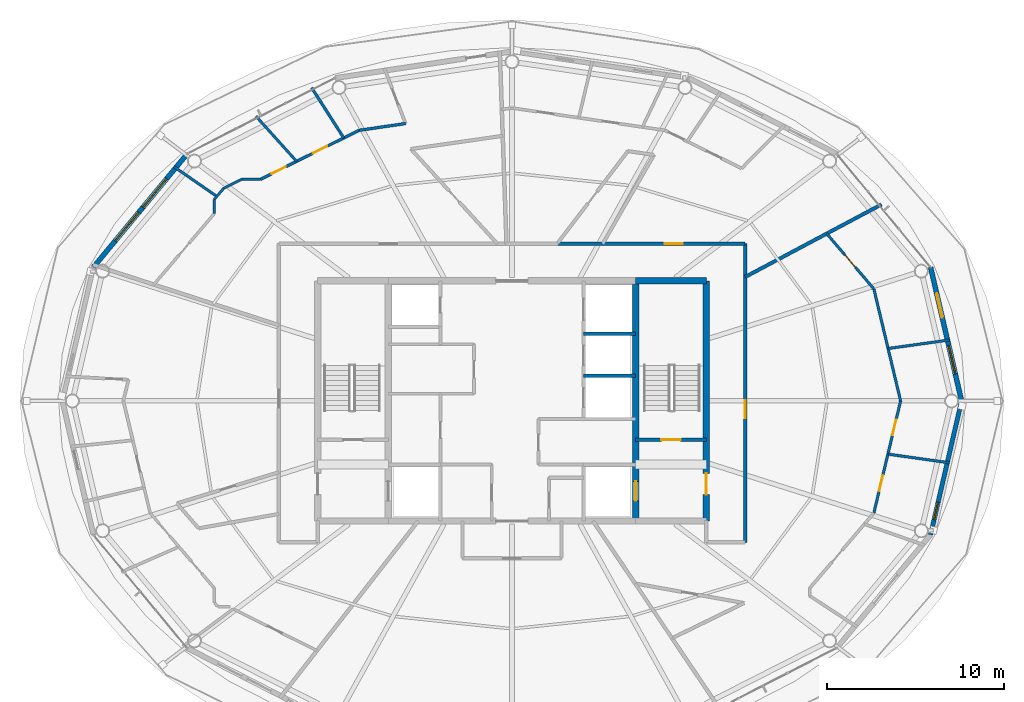
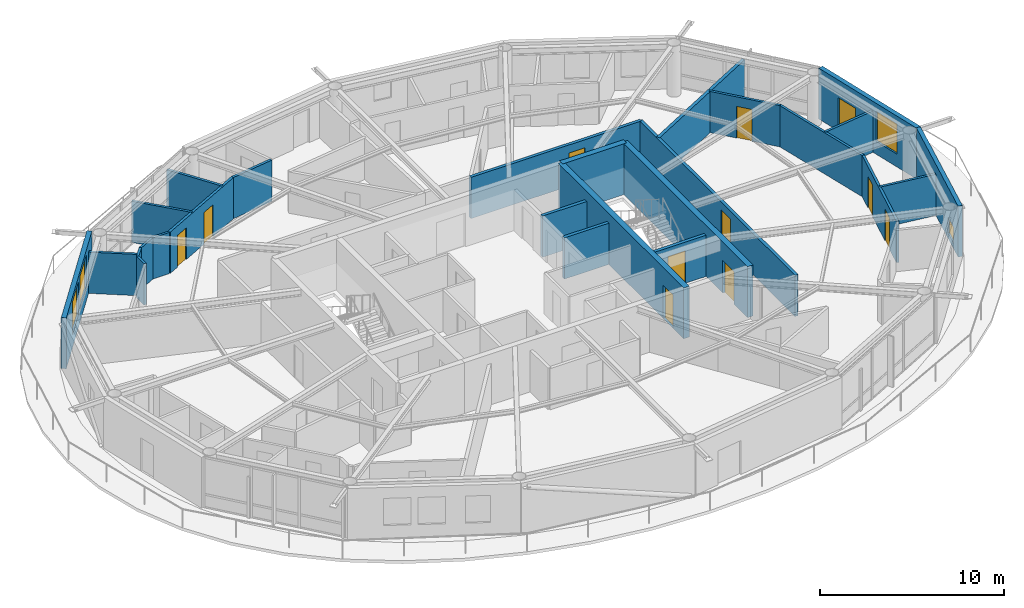
# One storey, part 18 of 22: 26 walls, 11 doors, 4 windows, 15 openings.
"""IFC4 building model written with IfcOpenShell, lengths in metres."""

from ifc_helpers import new_model, si_unit, direction, frame, frame_2d, origin, place, context, subcontext, project, spatial, rectangle, extrude, material, layer, layer_set, type_object, element, fill, save


model = new_model("IFC4")

# Units and contexts
model_context = context("Model", 3, precision=1e-05, world=origin(), true_north=direction((0.0, 1.0)))
body_context = subcontext(model_context, "Body", "Model", "MODEL_VIEW")
ifc_project = project(units=[si_unit("LENGTHUNIT", "METRE"), si_unit("AREAUNIT", "SQUARE_METRE"), si_unit("VOLUMEUNIT", "CUBIC_METRE"), si_unit("PLANEANGLEUNIT", "RADIAN"), si_unit("MASSUNIT", "GRAM", prefix="KILO")], contexts=[model_context])

# Site, building, storey
site_placement = place(None, origin())
site = spatial("IfcSite", under=ifc_project, at=site_placement, CompositionType="ELEMENT")
building_placement = place(site_placement, origin())
building = spatial("IfcBuilding", under=site, at=building_placement, Name="Sarneth Arch Tower", CompositionType="ELEMENT")
storey_placement = place(building_placement, frame((0.0, 0.0, 283.800048828125)))
storey = spatial("IfcBuildingStorey", under=building, at=storey_placement, Name="L73", CompositionType="ELEMENT", Elevation=283.800048828125)

# Wall
ifc_material_1 = material(Name="Concrete C50/60", Category="concrete")
ifc_layer_1 = layer(ifc_material_1, 0.35009765625)
ifc_layer_set_1 = layer_set([ifc_layer_1], Name="Concrete C50/60")
wall_type_1 = type_object("IfcWallType", Name="WALL-CORE-350", PredefinedType="SHEAR", material=ifc_layer_set_1)
wall_1_placement = place(storey_placement, frame((55.0, 48.800048828125, 0.0), z_axis=(0.0, 0.0, 1.0), x_axis=(1.0, 0.0, 0.0)))
element("IfcWall", 1, at=wall_1_placement, inside=storey, type_object=wall_type_1, Name="L73 Core shear wall N-E", PredefinedType="SHEAR", context=body_context, shape_type="SweptSolid", body=[
    extrude(rectangle(XDim=4.0, YDim=0.35009765625, at=frame_2d((2.0, 0.0))), origin(), (0.0, 0.0, 1.0), 3.369873046875),
])

# Wall, opening, door
wall_2_placement = place(storey_placement, frame((59.0, 35.199951171875, 0.0), z_axis=(0.0, 0.0, 1.0), x_axis=(0.0, 1.0, 0.0)))
wall_2 = element("IfcWall", 2, at=wall_2_placement, inside=storey, type_object=wall_type_1, Name="L73 Core shear wall E", PredefinedType="SHEAR", context=body_context, shape_type="SweptSolid", body=[
    extrude(rectangle(XDim=13.60009765625, YDim=0.35009765625, at=frame_2d((6.800048828125, 0.0))), origin(), (0.0, 0.0, 1.0), 3.369873046875),
])
opening_1_placement = place(wall_2_placement, frame((1.5, 0.0, 0.0)))
opening_1 = element("IfcOpeningElement", 3, at=opening_1_placement, cuts=wall_2, Name="Opening FD-02", PredefinedType="OPENING", context=body_context, shape_type="SweptSolid", body=[
    extrude(rectangle(XDim=1.199951171875, YDim=2.14990234375, at=frame_2d((0.60009765625, 1.074951171875))), frame((0.0, 0.18505859375, 0.0), z_axis=(0.0, -1.0, 0.0), x_axis=(1.0, 0.0, 0.0)), (0.0, 0.0, 1.0), 0.3701171875),
])
ifc_material_2 = material(Name="Galvanised Steel S275 fire door set", Category="steel")
door_type_1 = type_object("IfcDoorType", Name="DR-FD90-1200", OperationType="SINGLE_SWING_LEFT", PredefinedType="DOOR", material=ifc_material_2)
door_1_placement = place(opening_1_placement, origin())
door_1 = element("IfcDoor", 4, at=door_1_placement, inside=storey, type_object=door_type_1, Name="L73 Firefighting lobby 2 exit door", OperationType="SINGLE_SWING_RIGHT", OverallHeight=2.14990234375, OverallWidth=1.199951171875, PredefinedType="DOOR", context=body_context, shape_type="SweptSolid", body=[
    extrude(rectangle(XDim=1.199951171875, YDim=2.14990234375, at=frame_2d((0.60009765625, 1.074951171875))), frame((0.0, 0.02490234375, 0.0), z_axis=(0.0, -1.0, 0.0), x_axis=(1.0, 0.0, 0.0)), (0.0, 0.0, 1.0), 0.050048828125),
])
fill(opening_1, door_1)

wall_3_placement = place(storey_placement, frame((55.0, 35.199951171875, 0.0), z_axis=(0.0, 0.0, 1.0), x_axis=(0.0, 1.0, 0.0)))
wall_3 = element("IfcWall", 5, at=wall_3_placement, inside=storey, type_object=wall_type_1, Name="L73 Core shear wall WEB-E", PredefinedType="SHEAR", context=body_context, shape_type="SweptSolid", body=[
    extrude(rectangle(XDim=13.60009765625, YDim=0.35009765625, at=frame_2d((6.800048828125, 0.0))), origin(), (0.0, 0.0, 1.0), 3.369873046875),
])
opening_2_placement = place(wall_3_placement, frame((1.14990234375, 0.0, 0.0)))
opening_2 = element("IfcOpeningElement", 6, at=opening_2_placement, cuts=wall_3, Name="Opening LD-1", PredefinedType="OPENING", context=body_context, shape_type="SweptSolid", body=[
    extrude(rectangle(XDim=1.10009765625, YDim=2.199951171875, at=frame_2d((0.550048828125, 1.10009765625))), frame((0.0, 0.18505859375, 0.0), z_axis=(0.0, -1.0, 0.0), x_axis=(1.0, 0.0, 0.0)), (0.0, 0.0, 1.0), 0.3701171875),
])
ifc_material_3 = material(Name="Brushed Stainless Steel 304 lift landing door", Category="steel")
door_type_2 = type_object("IfcDoorType", Name="DR-LIFT-SLIDE-1100", OperationType="SLIDING_TO_LEFT", PredefinedType="DOOR", material=ifc_material_3)
door_2_placement = place(opening_2_placement, origin())
door_2 = element("IfcDoor", 7, at=door_2_placement, inside=storey, type_object=door_type_2, Name="L73 Firefighting lift landing door FL-2", OperationType="SLIDING_TO_RIGHT", OverallHeight=2.199951171875, OverallWidth=1.10009765625, PredefinedType="DOOR", context=body_context, shape_type="SweptSolid", body=[
    extrude(rectangle(XDim=1.10009765625, YDim=2.199951171875, at=frame_2d((0.550048828125, 1.10009765625))), frame((0.0, 0.02490234375, 0.0), z_axis=(0.0, -1.0, 0.0), x_axis=(1.0, 0.0, 0.0)), (0.0, 0.0, 1.0), 0.050048828125),
])
fill(opening_2, door_2)

ifc_material_4 = material(Name="Double steel-stud corridor fire wall", Category="steel")
ifc_layer_2 = layer(ifc_material_4, 0.18994140625)
ifc_layer_set_2 = layer_set([ifc_layer_2], Name="Double steel-stud corridor fire wall")
wall_type_2 = type_object("IfcWallType", Name="WALL-CORR-190", PredefinedType="PARTITIONING", material=ifc_layer_set_2)
wall_4_placement = place(storey_placement, frame((61.199951171875, 50.89990234375, 0.0), z_axis=(0.0, 0.0, 1.0), x_axis=(0.0, -1.0, 0.0)))
wall_4 = element("IfcWall", 8, at=wall_4_placement, inside=storey, type_object=wall_type_2, Name="L73 Interior partition W-L73-TP-013", PredefinedType="PARTITIONING", context=body_context, shape_type="SweptSolid", body=[
    extrude(rectangle(XDim=16.89990234375, YDim=0.18994140625, at=frame_2d((8.449951171875, 0.0))), origin(), (0.0, 0.0, 1.0), 2.72998046875),
])
opening_3_placement = place(wall_4_placement, frame((8.87255859375, 0.0, 0.0)))
opening_3 = element("IfcOpeningElement", 9, at=opening_3_placement, cuts=wall_4, Name="Opening FD-08", PredefinedType="OPENING", context=body_context, shape_type="SweptSolid", body=[
    extrude(rectangle(XDim=1.0, YDim=2.199951171875, at=frame_2d((0.5, 1.10009765625))), frame((0.0, 0.10498046875, 0.0), z_axis=(0.0, -1.0, 0.0), x_axis=(1.0, 0.0, 0.0)), (0.0, 0.0, 1.0), 0.2099609375),
])
ifc_material_5 = material(Name="Hardwood timber acoustic fire door", Category="wood")
door_type_3 = type_object("IfcDoorType", Name="DR-FD60-1000", OperationType="SINGLE_SWING_LEFT", PredefinedType="DOOR", material=ifc_material_5)
door_3_placement = place(opening_3_placement, origin())
door_3 = element("IfcDoor", 10, at=door_3_placement, inside=storey, type_object=door_type_3, Name="L73 Interior door DR-L73-U5-ENT", OperationType="SINGLE_SWING_LEFT", OverallHeight=2.199951171875, OverallWidth=1.0, PredefinedType="DOOR", context=body_context, shape_type="SweptSolid", body=[
    extrude(rectangle(XDim=1.0, YDim=2.199951171875, at=frame_2d((0.5, 1.10009765625))), frame((0.0, 0.02490234375, 0.0), z_axis=(0.0, -1.0, 0.0), x_axis=(1.0, 0.0, 0.0)), (0.0, 0.0, 1.0), 0.050048828125),
])
fill(opening_3, door_3)

wall_5_placement = place(storey_placement, frame((50.515380859375, 50.89990234375, 0.0), z_axis=(0.0, 0.0, 1.0), x_axis=(1.0, 0.0, 0.0)))
wall_5 = element("IfcWall", 11, at=wall_5_placement, inside=storey, type_object=wall_type_2, Name="L73 Interior partition W-L73-TP-002", PredefinedType="PARTITIONING", context=body_context, shape_type="SweptSolid", body=[
    extrude(rectangle(XDim=10.6845703125, YDim=0.18994140625, at=frame_2d((5.34228515625, 0.0))), origin(), (0.0, 0.0, 1.0), 2.72998046875),
])
opening_4_placement = place(wall_5_placement, frame((6.135498046875, 0.0, 0.0)))
opening_4 = element("IfcOpeningElement", 12, at=opening_4_placement, cuts=wall_5, Name="Opening FD-08", PredefinedType="OPENING", context=body_context, shape_type="SweptSolid", body=[
    extrude(rectangle(XDim=1.0, YDim=2.199951171875, at=frame_2d((0.5, 1.10009765625))), frame((0.0, 0.10498046875, 0.0), z_axis=(0.0, -1.0, 0.0), x_axis=(1.0, 0.0, 0.0)), (0.0, 0.0, 1.0), 0.2099609375),
])
door_4_placement = place(opening_4_placement, origin())
door_4 = element("IfcDoor", 13, at=door_4_placement, inside=storey, type_object=door_type_3, Name="L73 Interior door DR-L73-U1-ENT", OperationType="SINGLE_SWING_LEFT", OverallHeight=2.199951171875, OverallWidth=1.0, PredefinedType="DOOR", context=body_context, shape_type="SweptSolid", body=[
    extrude(rectangle(XDim=1.0, YDim=2.199951171875, at=frame_2d((0.5, 1.10009765625))), frame((0.0, 0.02490234375, 0.0), z_axis=(0.0, -1.0, 0.0), x_axis=(1.0, 0.0, 0.0)), (0.0, 0.0, 1.0), 0.050048828125),
])
fill(opening_4, door_4)

# Wall, opening, window
ifc_material_6 = material(Name="Extruded terracotta rainscreen on Concrete C40/50 backing", Category="masonry")
ifc_layer_3 = layer(ifc_material_6, 0.25)
ifc_layer_set_3 = layer_set([ifc_layer_3], Name="Extruded terracotta rainscreen on Concrete C40/50 backing")
wall_type_3 = type_object("IfcWallType", Name="WALL-EXT-SPAND-250", PredefinedType="SOLIDWALL", material=ifc_layer_set_3)
wall_6_placement = place(storey_placement, frame((71.69384765625, 34.430419921875, 0.0), z_axis=(0.0, 0.0, 1.0), x_axis=(0.225635078214, 0.974211892495, 0.0)))
wall_6 = element("IfcWall", 14, at=wall_6_placement, inside=storey, type_object=wall_type_3, Name="L73 Terracotta perimeter wall 16", PredefinedType="SOLIDWALL", context=body_context, shape_type="SweptSolid", body=[
    extrude(rectangle(XDim=7.77001953125, YDim=0.25, at=frame_2d((3.885009765625, 0.0))), origin(), (0.0, 0.0, 1.0), 3.369873046875),
])
opening_5_placement = place(wall_6_placement, frame((0.877685546875, 0.0, 0.35009765625)))
opening_5 = element("IfcOpeningElement", 15, at=opening_5_placement, cuts=wall_6, Name="Opening W-14", PredefinedType="OPENING", context=body_context, shape_type="SweptSolid", body=[
    extrude(rectangle(XDim=1.0, YDim=1.050048828125, at=frame_2d((0.5, 0.52490234375))), frame((0.0, 0.135009765625, 0.0), z_axis=(0.0, -1.0, 0.0), x_axis=(1.0, 0.0, 0.0)), (0.0, 0.0, 1.0), 0.27001953125),
])
ifc_material_7 = material(Name="Thermally broken Aluminium 6063-T6 and low-e laminated IGU", Category="aluminium")
window_type_1 = type_object("IfcWindowType", Name="WIN-TWR-1000x1050", PartitioningType="SINGLE_PANEL", PredefinedType="WINDOW", material=ifc_material_7)
window_1_placement = place(opening_5_placement, origin())
window_1 = element("IfcWindow", 16, at=window_1_placement, inside=storey, type_object=window_type_1, Name="L73 Dwelling bedroom window 04", OverallHeight=1.050048828125, OverallWidth=1.0, PartitioningType="SINGLE_PANEL", PredefinedType="WINDOW", context=body_context, shape_type="SweptSolid", body=[
    extrude(rectangle(XDim=1.0, YDim=1.050048828125, at=frame_2d((0.5, 0.52490234375))), frame((0.0, 0.030029296875, 0.0), z_axis=(0.0, -1.0, 0.0), x_axis=(1.0, 0.0, 0.0)), (0.0, 0.0, 1.0), 0.06005859375),
])
fill(opening_5, window_1)

# Wall, openings, door, window
ifc_material_8 = material(Name="Extruded terracotta rainscreen on Concrete C40/50 backing", Category="masonry")
ifc_layer_4 = layer(ifc_material_8, 0.280029296875)
ifc_layer_set_4 = layer_set([ifc_layer_4], Name="Extruded terracotta rainscreen on Concrete C40/50 backing")
wall_type_4 = type_object("IfcWallType", Name="WALL-EXT-TERRA-280", PredefinedType="SOLIDWALL", material=ifc_layer_set_4)
wall_7_placement = place(storey_placement, frame((73.447021484375, 42.0, 0.0), z_axis=(0.0, 0.0, 1.0), x_axis=(-0.225635078214, 0.974211892495, 0.0)))
wall_7 = element("IfcWall", 17, at=wall_7_placement, inside=storey, type_object=wall_type_4, Name="L73 Terracotta perimeter wall 01", PredefinedType="SOLIDWALL", context=body_context, shape_type="SweptSolid", body=[
    extrude(rectangle(XDim=7.77001953125, YDim=0.280029296875, at=frame_2d((3.885009765625, 0.0))), origin(), (0.0, 0.0, 1.0), 3.369873046875),
])
opening_6_placement = place(wall_7_placement, frame((1.57177734375, 0.0, 0.85009765625)))
opening_6 = element("IfcOpeningElement", 18, at=opening_6_placement, cuts=wall_7, Name="Opening W-05", PredefinedType="OPENING", context=body_context, shape_type="SweptSolid", body=[
    extrude(rectangle(XDim=1.64990234375, YDim=2.0, at=frame_2d((0.824951171875, 1.0))), frame((0.0, 0.14990234375, 0.0), z_axis=(0.0, -1.0, 0.0), x_axis=(1.0, 0.0, 0.0)), (0.0, 0.0, 1.0), 0.300048828125),
])
opening_7_placement = place(wall_7_placement, frame((4.842041015625, 0.0, 0.0)))
opening_7 = element("IfcOpeningElement", 19, at=opening_7_placement, cuts=wall_7, Name="Opening BD-2", PredefinedType="OPENING", context=body_context, shape_type="SweptSolid", body=[
    extrude(rectangle(XDim=1.39990234375, YDim=2.199951171875, at=frame_2d((0.699951171875, 1.10009765625))), frame((0.0, 0.14990234375, 0.0), z_axis=(0.0, -1.0, 0.0), x_axis=(1.0, 0.0, 0.0)), (0.0, 0.0, 1.0), 0.300048828125),
])
ifc_material_9 = material(Name="Thermally broken Aluminium 6063-T6 and laminated safety glass", Category="aluminium")
door_type_4 = type_object("IfcDoorType", Name="DR-BALC-GLZ-1400", OperationType="SINGLE_SWING_LEFT", PredefinedType="DOOR", material=ifc_material_9)
door_5_placement = place(opening_7_placement, origin())
door_5 = element("IfcDoor", 20, at=door_5_placement, inside=storey, type_object=door_type_4, Name="L73 Balcony glazed door 01", OperationType="SINGLE_SWING_LEFT", OverallHeight=2.199951171875, OverallWidth=1.39990234375, PredefinedType="DOOR", context=body_context, shape_type="SweptSolid", body=[
    extrude(rectangle(XDim=1.39990234375, YDim=2.199951171875, at=frame_2d((0.699951171875, 1.10009765625))), frame((0.0, 0.02490234375, 0.0), z_axis=(0.0, -1.0, 0.0), x_axis=(1.0, 0.0, 0.0)), (0.0, 0.0, 1.0), 0.050048828125),
])
fill(opening_7, door_5)
ifc_material_10 = material(Name="Thermally broken Aluminium 6063-T6 and low-e laminated IGU", Category="aluminium")
window_type_2 = type_object("IfcWindowType", Name="WIN-TWR-1650x2000", PartitioningType="DOUBLE_PANEL_VERTICAL", PredefinedType="WINDOW", material=ifc_material_10)
window_2_placement = place(opening_6_placement, origin())
window_2 = element("IfcWindow", 21, at=window_2_placement, inside=storey, type_object=window_type_2, Name="L73 Exterior window 01A", OverallHeight=2.0, OverallWidth=1.64990234375, PartitioningType="SINGLE_PANEL", PredefinedType="WINDOW", context=body_context, shape_type="SweptSolid", body=[
    extrude(rectangle(XDim=1.64990234375, YDim=2.0, at=frame_2d((0.824951171875, 1.0))), frame((0.0, 0.030029296875, 0.0), z_axis=(0.0, -1.0, 0.0), x_axis=(1.0, 0.0, 0.0)), (0.0, 0.0, 1.0), 0.06005859375),
])
fill(opening_6, window_2)

# Wall, openings, windows
wall_8_placement = place(storey_placement, frame((29.617431640625, 55.986572265625, 0.0), z_axis=(0.0, 0.0, 1.0), x_axis=(-0.63761509934, -0.770355103243, 0.0)))
wall_8 = element("IfcWall", 22, at=wall_8_placement, inside=storey, type_object=wall_type_4, Name="L73 Terracotta perimeter wall 07", PredefinedType="SOLIDWALL", context=body_context, shape_type="SweptSolid", body=[
    extrude(rectangle(XDim=8.329833984375, YDim=0.280029296875, at=frame_2d((4.1650390625, 0.0))), origin(), (0.0, 0.0, 1.0), 3.369873046875),
])
opening_8_placement = place(wall_8_placement, frame((1.826416015625, 0.0, 0.85009765625)))
opening_8 = element("IfcOpeningElement", 23, at=opening_8_placement, cuts=wall_8, Name="Opening W-03", PredefinedType="OPENING", context=body_context, shape_type="SweptSolid", body=[
    extrude(rectangle(XDim=2.10009765625, YDim=2.199951171875, at=frame_2d((1.050048828125, 1.10009765625))), frame((0.0, 0.14990234375, 0.0), z_axis=(0.0, -1.0, 0.0), x_axis=(1.0, 0.0, 0.0)), (0.0, 0.0, 1.0), 0.300048828125),
])
opening_9_placement = place(wall_8_placement, frame((4.29638671875, 0.0, 0.85009765625)))
opening_9 = element("IfcOpeningElement", 24, at=opening_9_placement, cuts=wall_8, Name="Opening W-03", PredefinedType="OPENING", context=body_context, shape_type="SweptSolid", body=[
    extrude(rectangle(XDim=2.10009765625, YDim=2.199951171875, at=frame_2d((1.050048828125, 1.10009765625))), frame((0.0, 0.14990234375, 0.0), z_axis=(0.0, -1.0, 0.0), x_axis=(1.0, 0.0, 0.0)), (0.0, 0.0, 1.0), 0.300048828125),
])
ifc_material_11 = material(Name="Thermally broken Aluminium 6063-T6 and low-e laminated IGU", Category="aluminium")
window_type_3 = type_object("IfcWindowType", Name="WIN-TWR-2100x2200", PartitioningType="DOUBLE_PANEL_VERTICAL", PredefinedType="WINDOW", material=ifc_material_11)
window_3_placement = place(opening_8_placement, origin())
window_3 = element("IfcWindow", 25, at=window_3_placement, inside=storey, type_object=window_type_3, Name="L73 Exterior window 07A", OverallHeight=2.199951171875, OverallWidth=2.10009765625, PartitioningType="SINGLE_PANEL", PredefinedType="WINDOW", context=body_context, shape_type="SweptSolid", body=[
    extrude(rectangle(XDim=2.10009765625, YDim=2.199951171875, at=frame_2d((1.050048828125, 1.10009765625))), frame((0.0, 0.030029296875, 0.0), z_axis=(0.0, -1.0, 0.0), x_axis=(1.0, 0.0, 0.0)), (0.0, 0.0, 1.0), 0.06005859375),
])
fill(opening_8, window_3)
window_4_placement = place(opening_9_placement, origin())
window_4 = element("IfcWindow", 26, at=window_4_placement, inside=storey, type_object=window_type_3, Name="L73 Exterior window 07B", OverallHeight=2.199951171875, OverallWidth=2.10009765625, PartitioningType="SINGLE_PANEL", PredefinedType="WINDOW", context=body_context, shape_type="SweptSolid", body=[
    extrude(rectangle(XDim=2.10009765625, YDim=2.199951171875, at=frame_2d((1.050048828125, 1.10009765625))), frame((0.0, 0.030029296875, 0.0), z_axis=(0.0, -1.0, 0.0), x_axis=(1.0, 0.0, 0.0)), (0.0, 0.0, 1.0), 0.06005859375),
])
fill(opening_9, window_4)

# Walls
ifc_material_12 = material(Name="Apartment internal stud partition", Category="gypsum")
ifc_layer_5 = layer(ifc_material_12, 0.139892578125)
ifc_layer_set_5 = layer_set([ifc_layer_5], Name="Apartment internal stud partition")
wall_type_5 = type_object("IfcWallType", Name="WALL-PART-140", PredefinedType="PARTITIONING", material=ifc_layer_set_5)
wall_9_placement = place(storey_placement, frame((32.710693359375, 54.550048828125, 0.0), z_axis=(0.0, 0.0, 1.0), x_axis=(-0.895409226325, -0.445244109912, 0.0)))
element("IfcWall", 27, at=wall_9_placement, inside=storey, type_object=wall_type_5, Name="L73 Interior partition W-L73-TP-045", PredefinedType="PARTITIONING", context=body_context, shape_type="SweptSolid", body=[
    extrude(rectangle(XDim=1.14111328125, YDim=0.139892578125, at=frame_2d((0.570556640625, 0.0))), origin(), (0.0, 0.0, 1.0), 2.72998046875),
])
wall_10_placement = place(storey_placement, frame((33.773193359375, 54.550048828125, 0.0), z_axis=(0.0, 0.0, 1.0), x_axis=(-1.0, 0.0, 0.0)))
element("IfcWall", 28, at=wall_10_placement, inside=storey, type_object=wall_type_5, Name="L73 Interior partition W-L73-TP-044", PredefinedType="PARTITIONING", context=body_context, shape_type="SweptSolid", body=[
    extrude(rectangle(XDim=1.0625, YDim=0.139892578125, at=frame_2d((0.53125, 0.0))), origin(), (0.0, 0.0, 1.0), 2.72998046875),
])
wall_11_placement = place(storey_placement, frame((31.68896484375, 54.0419921875, 0.0), z_axis=(0.0, 0.0, 1.0), x_axis=(-0.649191857323, -0.760624698774, 0.0)))
element("IfcWall", 29, at=wall_11_placement, inside=storey, type_object=wall_type_5, Name="L73 Interior partition W-L73-TP-046", PredefinedType="PARTITIONING", context=body_context, shape_type="SweptSolid", body=[
    extrude(rectangle(XDim=0.830322265625, YDim=0.139892578125, at=frame_2d((0.4150390625, 0.0))), origin(), (0.0, 0.0, 1.0), 2.72998046875),
])

# Wall, opening, door
ifc_material_13 = material(Name="Acoustic gypsum stud partition", Category="gypsum")
ifc_layer_6 = layer(ifc_material_13, 0.14990234375)
ifc_layer_set_6 = layer_set([ifc_layer_6], Name="Acoustic gypsum stud partition")
wall_type_6 = type_object("IfcWallType", Name="WALL-PART-150", PredefinedType="PARTITIONING", material=ifc_layer_set_6)
wall_12_placement = place(storey_placement, frame((65.8125, 51.47119140625, 0.0), z_axis=(0.0, 0.0, 1.0), x_axis=(0.649224667474, -0.760596694145, 0.0)))
wall_12 = element("IfcWall", 30, at=wall_12_placement, inside=storey, type_object=wall_type_6, Name="L73 Interior partition W-L73-TP-087", PredefinedType="PARTITIONING", context=body_context, shape_type="SweptSolid", body=[
    extrude(rectangle(XDim=4.110107421875, YDim=0.14990234375, at=frame_2d((2.05517578125, 0.0))), origin(), (0.0, 0.0, 1.0), 2.72998046875),
])
opening_10_placement = place(wall_12_placement, frame((1.60498046875, 0.0, 0.0)))
opening_10 = element("IfcOpeningElement", 31, at=opening_10_placement, cuts=wall_12, Name="Opening ID-01", PredefinedType="OPENING", context=body_context, shape_type="SweptSolid", body=[
    extrude(rectangle(XDim=0.89990234375, YDim=2.10009765625, at=frame_2d((0.449951171875, 1.050048828125))), frame((0.0, 0.0849609375, 0.0), z_axis=(0.0, -1.0, 0.0), x_axis=(1.0, 0.0, 0.0)), (0.0, 0.0, 1.0), 0.169921875),
])
ifc_material_14 = material(Name="Engineered hardwood flush door", Category="wood")
door_type_5 = type_object("IfcDoorType", Name="DR-INT-900", OperationType="SINGLE_SWING_LEFT", PredefinedType="DOOR", material=ifc_material_14)
door_6_placement = place(opening_10_placement, origin())
door_6 = element("IfcDoor", 32, at=door_6_placement, inside=storey, type_object=door_type_5, Name="L73 Interior door DR-L73-U5-BED3", OperationType="SINGLE_SWING_LEFT", OverallHeight=2.10009765625, OverallWidth=0.89990234375, PredefinedType="DOOR", context=body_context, shape_type="SweptSolid", body=[
    extrude(rectangle(XDim=0.89990234375, YDim=2.10009765625, at=frame_2d((0.449951171875, 1.050048828125))), frame((0.0, 0.02490234375, 0.0), z_axis=(0.0, -1.0, 0.0), x_axis=(1.0, 0.0, 0.0)), (0.0, 0.0, 1.0), 0.050048828125),
])
fill(opening_10, door_6)

# Walls
wall_13_placement = place(storey_placement, frame((69.28759765625, 44.96728515625, 0.0), z_axis=(0.0, 0.0, 1.0), x_axis=(0.990426984163, 0.138037636323, 0.0)))
element("IfcWall", 33, at=wall_13_placement, inside=storey, type_object=wall_type_6, Name="L73 Interior partition W-L73-TP-091", PredefinedType="PARTITIONING", context=body_context, shape_type="SweptSolid", body=[
    extrude(rectangle(XDim=3.51611328125, YDim=0.14990234375, at=frame_2d((1.758056640625, 0.0))), origin(), (0.0, 0.0, 1.0), 2.72998046875),
])
wall_14_placement = place(storey_placement, frame((72.7587890625, 38.4990234375, 0.0), z_axis=(0.0, 0.0, 1.0), x_axis=(-0.990152617328, 0.139992122627, 0.0)))
element("IfcWall", 34, at=wall_14_placement, inside=storey, type_object=wall_type_6, Name="L73 Interior partition W-L73-TP-090", PredefinedType="PARTITIONING", context=body_context, shape_type="SweptSolid", body=[
    extrude(rectangle(XDim=3.515869140625, YDim=0.14990234375, at=frame_2d((1.7578125, 0.0))), origin(), (0.0, 0.0, 1.0), 2.72998046875),
])
wall_15_placement = place(storey_placement, frame((68.48095703125, 48.344970703125, 0.0), z_axis=(0.0, 0.0, 1.0), x_axis=(0.232298462197, -0.972644551962, 0.0)))
element("IfcWall", 35, at=wall_15_placement, inside=storey, type_object=wall_type_6, Name="L73 Interior partition W-L73-TP-088", PredefinedType="PARTITIONING", context=body_context, shape_type="SweptSolid", body=[
    extrude(rectangle(XDim=6.5234375, YDim=0.14990234375, at=frame_2d((3.26171875, 0.0))), origin(), (0.0, 0.0, 1.0), 2.72998046875),
])

# Wall, openings, doors
wall_16_placement = place(storey_placement, frame((69.996337890625, 42.0, 0.0), z_axis=(0.0, 0.0, 1.0), x_axis=(-0.232298462197, -0.972644551962, 0.0)))
wall_16 = element("IfcWall", 36, at=wall_16_placement, inside=storey, type_object=wall_type_6, Name="L73 Interior partition W-L73-TP-083", PredefinedType="PARTITIONING", context=body_context, shape_type="SweptSolid", body=[
    extrude(rectangle(XDim=6.5234375, YDim=0.14990234375, at=frame_2d((3.26171875, 0.0))), origin(), (0.0, 0.0, 1.0), 2.72998046875),
])
opening_11_placement = place(wall_16_placement, frame((4.34228515625, 0.0, 0.0)))
opening_11 = element("IfcOpeningElement", 37, at=opening_11_placement, cuts=wall_16, Name="Opening ID-01", PredefinedType="OPENING", context=body_context, shape_type="SweptSolid", body=[
    extrude(rectangle(XDim=0.89990234375, YDim=2.10009765625, at=frame_2d((0.449951171875, 1.050048828125))), frame((0.0, 0.0849609375, 0.0), z_axis=(0.0, -1.0, 0.0), x_axis=(1.0, 0.0, 0.0)), (0.0, 0.0, 1.0), 0.169921875),
])
opening_12_placement = place(wall_16_placement, frame((1.0966796875, 0.0, 0.0)))
opening_12 = element("IfcOpeningElement", 38, at=opening_12_placement, cuts=wall_16, Name="Opening ID-01", PredefinedType="OPENING", context=body_context, shape_type="SweptSolid", body=[
    extrude(rectangle(XDim=0.89990234375, YDim=2.10009765625, at=frame_2d((0.449951171875, 1.050048828125))), frame((0.0, 0.0849609375, 0.0), z_axis=(0.0, -1.0, 0.0), x_axis=(1.0, 0.0, 0.0)), (0.0, 0.0, 1.0), 0.169921875),
])
door_7_placement = place(opening_11_placement, origin())
door_7 = element("IfcDoor", 39, at=door_7_placement, inside=storey, type_object=door_type_5, Name="L73 Interior door DR-L73-U5-BED1", OperationType="SINGLE_SWING_LEFT", OverallHeight=2.10009765625, OverallWidth=0.89990234375, PredefinedType="DOOR", context=body_context, shape_type="SweptSolid", body=[
    extrude(rectangle(XDim=0.89990234375, YDim=2.10009765625, at=frame_2d((0.449951171875, 1.050048828125))), frame((0.0, 0.02490234375, 0.0), z_axis=(0.0, -1.0, 0.0), x_axis=(1.0, 0.0, 0.0)), (0.0, 0.0, 1.0), 0.050048828125),
])
fill(opening_11, door_7)
door_8_placement = place(opening_12_placement, origin())
door_8 = element("IfcDoor", 40, at=door_8_placement, inside=storey, type_object=door_type_5, Name="L73 Interior door DR-L73-U5-BED2", OperationType="SINGLE_SWING_LEFT", OverallHeight=2.10009765625, OverallWidth=0.89990234375, PredefinedType="DOOR", context=body_context, shape_type="SweptSolid", body=[
    extrude(rectangle(XDim=0.89990234375, YDim=2.10009765625, at=frame_2d((0.449951171875, 1.050048828125))), frame((0.0, 0.02490234375, 0.0), z_axis=(0.0, -1.0, 0.0), x_axis=(1.0, 0.0, 0.0)), (0.0, 0.0, 1.0), 0.050048828125),
])
fill(opening_12, door_8)

# Walls
wall_17_placement = place(storey_placement, frame((35.807373046875, 55.560546875, 0.0), z_axis=(0.0, 0.0, 1.0), x_axis=(-0.668618761853, 0.743605373365, 0.0)))
element("IfcWall", 41, at=wall_17_placement, inside=storey, type_object=wall_type_6, Name="L73 Interior partition W-L73-TP-052", PredefinedType="PARTITIONING", context=body_context, shape_type="SweptSolid", body=[
    extrude(rectangle(XDim=3.431640625, YDim=0.14990234375, at=frame_2d((1.7158203125, 0.0))), origin(), (0.0, 0.0, 1.0), 2.72998046875),
])
wall_18_placement = place(storey_placement, frame((31.292724609375, 53.57763671875, 0.0), z_axis=(0.0, 0.0, 1.0), x_axis=(-0.821957300328, 0.569549116792, 0.0)))
element("IfcWall", 42, at=wall_18_placement, inside=storey, type_object=wall_type_6, Name="L73 Interior partition W-L73-TP-053", PredefinedType="PARTITIONING", context=body_context, shape_type="SweptSolid", body=[
    extrude(rectangle(XDim=2.956787109375, YDim=0.14990234375, at=frame_2d((1.478515625, 0.0))), origin(), (0.0, 0.0, 1.0), 2.72998046875),
])
wall_19_placement = place(storey_placement, frame((31.14990234375, 52.598876953125, 0.0), z_axis=(0.0, 0.0, 1.0), x_axis=(0.0, 1.0, 0.0)))
element("IfcWall", 43, at=wall_19_placement, inside=storey, type_object=wall_type_6, Name="L73 Interior partition W-L73-TP-048", PredefinedType="PARTITIONING", context=body_context, shape_type="SweptSolid", body=[
    extrude(rectangle(XDim=0.8115234375, YDim=0.14990234375, at=frame_2d((0.40576171875, 0.0))), origin(), (0.0, 0.0, 1.0), 2.72998046875),
])
ifc_material_15 = material(Name="Kitchen wet service chase wall", Category="gypsum")
ifc_layer_7 = layer(ifc_material_15, 0.159912109375)
ifc_layer_set_7 = layer_set([ifc_layer_7], Name="Kitchen wet service chase wall")
wall_type_7 = type_object("IfcWallType", Name="WALL-PLUMB-160", PredefinedType="PLUMBINGWALL", material=ifc_layer_set_7)
wall_20_placement = place(storey_placement, frame((38.476806640625, 56.88671875, 0.0), z_axis=(0.0, 0.0, 1.0), x_axis=(-0.538850350107, 0.842401507709, 0.0)))
element("IfcWall", 44, at=wall_20_placement, inside=storey, type_object=wall_type_7, Name="L73 Interior partition W-L73-TP-051", PredefinedType="PLUMBINGWALL", context=body_context, shape_type="SweptSolid", body=[
    extrude(rectangle(XDim=3.373046875, YDim=0.159912109375, at=frame_2d((1.6865234375, 0.0))), origin(), (0.0, 0.0, 1.0), 2.72998046875),
])

# Wall, openings, doors
wall_21_placement = place(storey_placement, frame((33.773193359375, 54.5498046875, 0.0), z_axis=(0.0, 0.0, 1.0), x_axis=(0.895562239868, 0.444936258943, 0.0)))
wall_21 = element("IfcWall", 45, at=wall_21_placement, inside=storey, type_object=wall_type_7, Name="L73 Interior partition W-L73-TP-037", PredefinedType="PLUMBINGWALL", context=body_context, shape_type="SweptSolid", body=[
    extrude(rectangle(XDim=6.221923828125, YDim=0.159912109375, at=frame_2d((3.11083984375, 0.0))), origin(), (0.0, 0.0, 1.0), 2.72998046875),
])
opening_13_placement = place(wall_21_placement, frame((3.311279296875, 0.0, 0.0)))
opening_13 = element("IfcOpeningElement", 46, at=opening_13_placement, cuts=wall_21, Name="Opening ID-01", PredefinedType="OPENING", context=body_context, shape_type="SweptSolid", body=[
    extrude(rectangle(XDim=0.89990234375, YDim=2.10009765625, at=frame_2d((0.449951171875, 1.050048828125))), frame((0.0, 0.08984375, 0.0), z_axis=(0.0, -1.0, 0.0), x_axis=(1.0, 0.0, 0.0)), (0.0, 0.0, 1.0), 0.179931640625),
])
opening_14_placement = place(wall_21_placement, frame((0.685791015625, 0.0, 0.0)))
opening_14 = element("IfcOpeningElement", 47, at=opening_14_placement, cuts=wall_21, Name="Opening ID-01", PredefinedType="OPENING", context=body_context, shape_type="SweptSolid", body=[
    extrude(rectangle(XDim=0.89990234375, YDim=2.10009765625, at=frame_2d((0.449951171875, 1.050048828125))), frame((0.0, 0.08984375, 0.0), z_axis=(0.0, -1.0, 0.0), x_axis=(1.0, 0.0, 0.0)), (0.0, 0.0, 1.0), 0.179931640625),
])
door_9_placement = place(opening_13_placement, origin())
door_9 = element("IfcDoor", 48, at=door_9_placement, inside=storey, type_object=door_type_5, Name="L73 Interior door DR-L73-U2-STD", OperationType="SINGLE_SWING_LEFT", OverallHeight=2.10009765625, OverallWidth=0.89990234375, PredefinedType="DOOR", context=body_context, shape_type="SweptSolid", body=[
    extrude(rectangle(XDim=0.89990234375, YDim=2.10009765625, at=frame_2d((0.449951171875, 1.050048828125))), frame((0.0, 0.02490234375, 0.0), z_axis=(0.0, -1.0, 0.0), x_axis=(1.0, 0.0, 0.0)), (0.0, 0.0, 1.0), 0.050048828125),
])
fill(opening_13, door_9)
door_10_placement = place(opening_14_placement, origin())
door_10 = element("IfcDoor", 49, at=door_10_placement, inside=storey, type_object=door_type_5, Name="L73 Interior door DR-L73-U2-BED1", OperationType="SINGLE_SWING_LEFT", OverallHeight=2.10009765625, OverallWidth=0.89990234375, PredefinedType="DOOR", context=body_context, shape_type="SweptSolid", body=[
    extrude(rectangle(XDim=0.89990234375, YDim=2.10009765625, at=frame_2d((0.449951171875, 1.050048828125))), frame((0.0, 0.02490234375, 0.0), z_axis=(0.0, -1.0, 0.0), x_axis=(1.0, 0.0, 0.0)), (0.0, 0.0, 1.0), 0.050048828125),
])
fill(opening_14, door_10)

# Wall
wall_22_placement = place(storey_placement, frame((39.34521484375, 57.31787109375, 0.0), z_axis=(0.0, 0.0, 1.0), x_axis=(0.989530249601, 0.144325621857, 0.0)))
element("IfcWall", 50, at=wall_22_placement, inside=storey, type_object=wall_type_7, Name="L73 Interior partition W-L73-TP-039", PredefinedType="PLUMBINGWALL", context=body_context, shape_type="SweptSolid", body=[
    extrude(rectangle(XDim=2.6591796875, YDim=0.159912109375, at=frame_2d((1.32958984375, 0.0))), origin(), (0.0, 0.0, 1.0), 2.72998046875),
])

# Wall, opening, door
ifc_material_16 = material(Name="Aerated concrete blockwork C25/30", Category="masonry")
ifc_layer_8 = layer(ifc_material_16, 0.199951171875)
ifc_layer_set_8 = layer_set([ifc_layer_8], Name="Aerated concrete blockwork C25/30")
wall_type_8 = type_object("IfcWallType", Name="WALL-SHAFT-200", PredefinedType="SOLIDWALL", material=ifc_layer_set_8)
wall_23_placement = place(storey_placement, frame((55.0, 39.800048828125, 0.0), z_axis=(0.0, 0.0, 1.0), x_axis=(1.0, 0.0, 0.0)))
wall_23 = element("IfcWall", 51, at=wall_23_placement, inside=storey, type_object=wall_type_8, Name="L73 Interior partition W-L73-ST2-S", PredefinedType="SOLIDWALL", context=body_context, shape_type="SweptSolid", body=[
    extrude(rectangle(XDim=4.0, YDim=0.199951171875, at=frame_2d((2.0, 0.0))), origin(), (0.0, 0.0, 1.0), 2.72998046875),
])
opening_15_placement = place(wall_23_placement, frame((1.449951171875, 0.0, 0.0)))
opening_15 = element("IfcOpeningElement", 52, at=opening_15_placement, cuts=wall_23, Name="Opening FD-03", PredefinedType="OPENING", context=body_context, shape_type="SweptSolid", body=[
    extrude(rectangle(XDim=1.10009765625, YDim=2.14990234375, at=frame_2d((0.550048828125, 1.074951171875))), frame((0.0, 0.10986328125, 0.0), z_axis=(0.0, -1.0, 0.0), x_axis=(1.0, 0.0, 0.0)), (0.0, 0.0, 1.0), 0.219970703125),
])
ifc_material_17 = material(Name="Galvanised Steel S275 fire door set", Category="steel")
door_type_6 = type_object("IfcDoorType", Name="DR-FD90-1100", OperationType="SINGLE_SWING_LEFT", PredefinedType="DOOR", material=ifc_material_17)
door_11_placement = place(opening_15_placement, origin())
door_11 = element("IfcDoor", 53, at=door_11_placement, inside=storey, type_object=door_type_6, Name="L73 Interior door DR-L73-ST2", OperationType="SINGLE_SWING_RIGHT", OverallHeight=2.14990234375, OverallWidth=1.10009765625, PredefinedType="DOOR", context=body_context, shape_type="SweptSolid", body=[
    extrude(rectangle(XDim=1.10009765625, YDim=2.14990234375, at=frame_2d((0.550048828125, 1.074951171875))), frame((0.0, 0.02490234375, 0.0), z_axis=(0.0, -1.0, 0.0), x_axis=(1.0, 0.0, 0.0)), (0.0, 0.0, 1.0), 0.050048828125),
])
fill(opening_15, door_11)

# Walls
for number, where, z_axis, x_axis, name in (
    (54, (52.050048828125, 43.419921875, 0.0), (0.0, 0.0, 1.0), (1.0, 0.0, 0.0), "L73 Interior partition W-L73-EB-DIV-4342"),
    (55, (52.050048828125, 45.800048828125, 0.0), (0.0, 0.0, 1.0), (1.0, 0.0, 0.0), "L73 Interior partition W-L73-EB-DIV-4580"),
):
    element("IfcWall", number, at=place(storey_placement, frame(where, z_axis=z_axis, x_axis=x_axis)), inside=storey, type_object=wall_type_8, Name=name, PredefinedType="SOLIDWALL", context=body_context, shape_type="SweptSolid", body=[
        extrude(rectangle(XDim=2.949951171875, YDim=0.199951171875, at=frame_2d((1.47509765625, 0.0))), origin(), (0.0, 0.0, 1.0), 2.72998046875),
    ])
ifc_material_18 = material(Name="Double steel-stud acoustic drywall", Category="steel")
ifc_layer_9 = layer(ifc_material_18, 0.199951171875)
ifc_layer_set_9 = layer_set([ifc_layer_9], Name="Double steel-stud acoustic drywall")
wall_type_9 = type_object("IfcWallType", Name="WALL-UNIT-200", PredefinedType="PARTITIONING", material=ifc_layer_set_9)
wall_24_placement = place(storey_placement, frame((68.909423828125, 53.117919921875, 0.0), z_axis=(0.0, 0.0, 1.0), x_axis=(-0.882939716422, -0.469486375909, 0.0)))
element("IfcWall", 56, at=wall_24_placement, inside=storey, type_object=wall_type_9, Name="L73 Interior partition W-L73-TP-031", PredefinedType="PARTITIONING", context=body_context, shape_type="SweptSolid", body=[
    extrude(rectangle(XDim=8.731689453125, YDim=0.199951171875, at=frame_2d((4.36572265625, 0.0))), origin(), (0.0, 0.0, 1.0), 2.72998046875),
])

save(model, "model.ifc")
